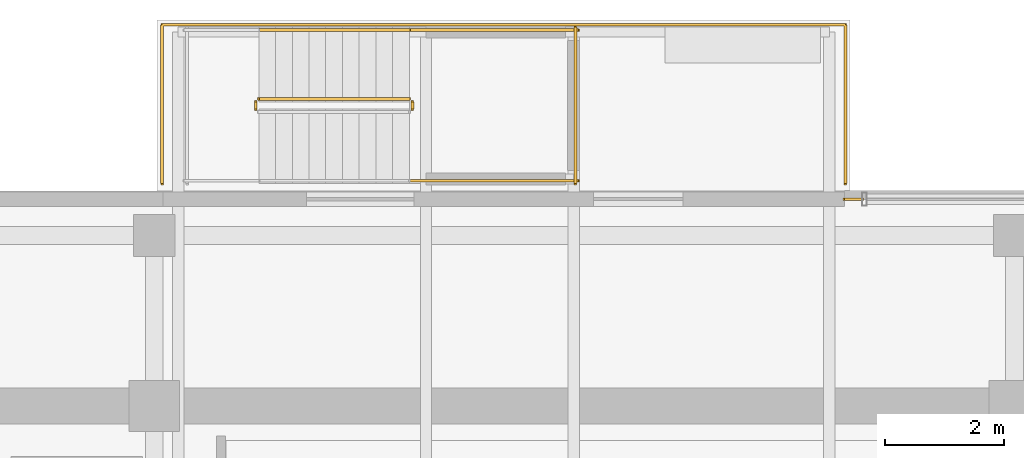
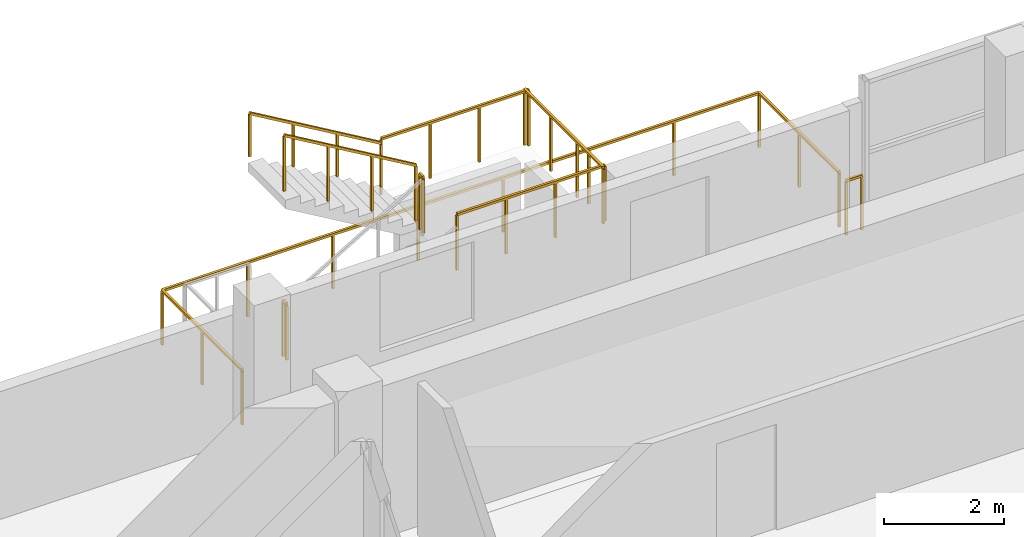
# One storey, part 22 of 23: 9 railings.
"""IFC4 building model written with IfcOpenShell, lengths in metres."""

from ifc_helpers import new_model, si_unit, direction, frame, origin, origin_2d, place, context, subcontext, project, spatial, rectangle, extrude, material, type_object, element, save


model = new_model("IFC4")

# Units and contexts
model_context = context("Model", 3, precision=1e-05, world=origin(), true_north=direction((0.0, 1.0)))
body_context = subcontext(model_context, "Body", "Model", "MODEL_VIEW")
ifc_project = project(units=[si_unit("LENGTHUNIT", "METRE"), si_unit("AREAUNIT", "SQUARE_METRE"), si_unit("VOLUMEUNIT", "CUBIC_METRE"), si_unit("PLANEANGLEUNIT", "RADIAN"), si_unit("MASSUNIT", "GRAM", prefix="KILO")], contexts=[model_context])

# Site, building, storey
site_placement = place(None, origin())
site = spatial("IfcSite", under=ifc_project, at=site_placement, CompositionType="ELEMENT")
building_placement = place(site_placement, origin())
building = spatial("IfcBuilding", under=site, at=building_placement, Name="Zarnakvel Exchange Tower", CompositionType="ELEMENT")
storey_placement = place(building_placement, frame((0.0, 0.0, 232.0)))
storey = spatial("IfcBuildingStorey", under=building, at=storey_placement, Name="L65", CompositionType="ELEMENT", Elevation=232.0)

# Railings
ifc_material_1 = material(Name="Architectural Bronze Anodised Aluminium", Category="aluminium")
railing_type_1 = type_object("IfcRailingType", Name="GR-02", PredefinedType="GUARDRAIL", material=ifc_material_1)
railing_1_placement = place(storey_placement, frame((-7.070068359375, 17.219970703125, 0.0)))
element("IfcRailing", 1, at=railing_1_placement, inside=storey, type_object=railing_type_1, Name="L65 Spiral Sky-Terrace Perimeter Guardrail", PredefinedType="GUARDRAIL", context=body_context, shape_type="SweptSolid", body=[
    extrude(rectangle(XDim=0.048095703125, YDim=0.048095703125, at=origin_2d()), frame((0.0, 0.0, 1.09619140625), z_axis=(0.0, 1.0, 0.0), x_axis=(-1.0, 0.0, 0.0)), (0.0, 0.0, 1.0), 2.659912109375),
    extrude(rectangle(XDim=0.048095703125, YDim=0.048095703125, at=origin_2d()), frame((0.0, 2.659912109375, 1.09619140625), z_axis=(1.0, 0.0, 0.0), x_axis=(0.0, 1.0, 0.0)), (0.0, 0.0, 1.0), 11.440185546875),
    extrude(rectangle(XDim=0.048095703125, YDim=0.048095703125, at=origin_2d()), frame((11.440185546875, 2.659912109375, 1.09619140625), z_axis=(0.0, -1.0, 0.0), x_axis=(1.0, 0.0, 0.0)), (0.0, 0.0, 1.0), 2.659912109375),
    extrude(rectangle(XDim=0.0419921875, YDim=0.0419921875, at=origin_2d()), origin(), (0.0, 0.0, 1.0), 1.072021484375),
    extrude(rectangle(XDim=0.0419921875, YDim=0.0419921875, at=origin_2d()), frame((0.0, 1.330078125, 0.0)), (0.0, 0.0, 1.0), 1.072021484375),
    extrude(rectangle(XDim=0.0419921875, YDim=0.0419921875, at=origin_2d()), frame((0.0, 2.659912109375, 0.0)), (0.0, 0.0, 1.0), 1.072021484375),
    extrude(rectangle(XDim=0.0419921875, YDim=0.0419921875, at=origin_2d()), frame((1.63427734375, 2.659912109375, 0.0)), (0.0, 0.0, 1.0), 1.072021484375),
    extrude(rectangle(XDim=0.0419921875, YDim=0.0419921875, at=origin_2d()), frame((3.2685546875, 2.659912109375, 0.0)), (0.0, 0.0, 1.0), 1.072021484375),
    extrude(rectangle(XDim=0.0419921875, YDim=0.0419921875, at=origin_2d()), frame((4.90283203125, 2.659912109375, 0.0)), (0.0, 0.0, 1.0), 1.072021484375),
    extrude(rectangle(XDim=0.0419921875, YDim=0.0419921875, at=origin_2d()), frame((6.537353515625, 2.659912109375, 0.0)), (0.0, 0.0, 1.0), 1.072021484375),
    extrude(rectangle(XDim=0.0419921875, YDim=0.0419921875, at=origin_2d()), frame((8.171630859375, 2.659912109375, 0.0)), (0.0, 0.0, 1.0), 1.072021484375),
    extrude(rectangle(XDim=0.0419921875, YDim=0.0419921875, at=origin_2d()), frame((9.805908203125, 2.659912109375, 0.0)), (0.0, 0.0, 1.0), 1.072021484375),
    extrude(rectangle(XDim=0.0419921875, YDim=0.0419921875, at=origin_2d()), frame((11.440185546875, 2.659912109375, 0.0)), (0.0, 0.0, 1.0), 1.072021484375),
    extrude(rectangle(XDim=0.0419921875, YDim=0.0419921875, at=origin_2d()), frame((11.440185546875, 1.330078125, 0.0)), (0.0, 0.0, 1.0), 1.072021484375),
    extrude(rectangle(XDim=0.0419921875, YDim=0.0419921875, at=origin_2d()), frame((11.440185546875, 0.0, 0.0)), (0.0, 0.0, 1.0), 1.072021484375),
])
railing_2_placement = place(storey_placement, frame((4.35009765625, 16.9599609375, 0.0)))
element("IfcRailing", 2, at=railing_2_placement, inside=storey, type_object=railing_type_1, Name="L65 Corner Spandrel Balustrade #6", PredefinedType="GUARDRAIL", context=body_context, shape_type="SweptSolid", body=[
    extrude(rectangle(XDim=0.048095703125, YDim=0.048095703125, at=origin_2d()), frame((0.0, 0.0, 1.09619140625), z_axis=(1.0, 0.0, 0.0), x_axis=(0.0, 1.0, 0.0)), (0.0, 0.0, 1.0), 0.2998046875),
    extrude(rectangle(XDim=0.0419921875, YDim=0.0419921875, at=origin_2d()), origin(), (0.0, 0.0, 1.0), 1.072021484375),
    extrude(rectangle(XDim=0.0419921875, YDim=0.0419921875, at=origin_2d()), frame((0.2998046875, 0.0, 0.0)), (0.0, 0.0, 1.0), 1.072021484375),
])
ifc_material_2 = material(Name="Brushed Stainless Steel", Category="steel")
railing_type_2 = type_object("IfcRailingType", Name="HR-01", PredefinedType="HANDRAIL", material=ifc_material_2)
railing_3_placement = place(storey_placement, frame((-2.929931640625, 19.7900390625, 1.81494140625)))
element("IfcRailing", 3, at=railing_3_placement, inside=storey, type_object=railing_type_2, Name="L65 ST-14 stair handrail 2", PredefinedType="HANDRAIL", context=body_context, shape_type="SweptSolid", body=[
    extrude(rectangle(XDim=0.048095703125, YDim=0.048095703125, at=origin_2d()), frame((0.0, 0.0, 0.8759765625), z_axis=(-0.86152411907, 0.0, 0.507716645641), x_axis=(0.0, -1.0, 0.0)), (0.0, 0.0, 1.0), 2.925048828125),
    extrude(rectangle(XDim=0.0419921875, YDim=0.0419921875, at=origin_2d()), origin(), (0.0, 0.0, 1.0), 0.851806640625),
    extrude(rectangle(XDim=0.0419921875, YDim=0.0419921875, at=origin_2d()), frame((-0.840087890625, 0.0, 0.4951171875)), (0.0, 0.0, 1.0), 0.851806640625),
    extrude(rectangle(XDim=0.0419921875, YDim=0.0419921875, at=origin_2d()), frame((-1.679931640625, 0.0, 0.989990234375)), (0.0, 0.0, 1.0), 0.851806640625),
    extrude(rectangle(XDim=0.0419921875, YDim=0.0419921875, at=origin_2d()), frame((-2.52001953125, 0.0, 1.485107421875)), (0.0, 0.0, 1.0), 0.851806640625),
])
railing_type_3 = type_object("IfcRailingType", Name="SG-01", PredefinedType="GUARDRAIL", material=ifc_material_1)
railing_4_placement = place(storey_placement, frame((-2.8798828125, 18.469970703125, 1.64990234375)))
element("IfcRailing", 4, at=railing_4_placement, inside=storey, type_object=railing_type_3, Name="L65 ST-14 stair guard 2", PredefinedType="GUARDRAIL", context=body_context, shape_type="SweptSolid", body=[
    extrude(rectangle(XDim=0.048095703125, YDim=0.048095703125, at=origin_2d()), frame((0.0, 0.0, 1.1259765625), z_axis=(0.0, 1.0, 0.0), x_axis=(-1.0, 0.0, 0.0)), (0.0, 0.0, 1.0), 0.1201171875),
    extrude(rectangle(XDim=0.0419921875, YDim=0.0419921875, at=origin_2d()), origin(), (0.0, 0.0, 1.0), 1.101806640625),
    extrude(rectangle(XDim=0.0419921875, YDim=0.0419921875, at=origin_2d()), frame((0.0, 0.1201171875, 0.0)), (0.0, 0.0, 1.0), 1.101806640625),
])
for number, where, name in (
    (5, (-2.929931640625, 17.27001953125, 1.64990234375), "L65 ST-14 stair guard 3"),
    (6, (-2.929931640625, 19.7900390625, 1.64990234375), "L65 ST-14 stair guard 4"),
):
    element("IfcRailing", number, at=place(storey_placement, frame(where)), inside=storey, type_object=railing_type_3, Name=name, PredefinedType="GUARDRAIL", context=body_context, shape_type="SweptSolid", body=[
        extrude(rectangle(XDim=0.048095703125, YDim=0.048095703125, at=origin_2d()), frame((0.0, 0.0, 1.1259765625), z_axis=(1.0, 0.0, 0.0), x_axis=(0.0, 1.0, 0.0)), (0.0, 0.0, 1.0), 2.829833984375),
        extrude(rectangle(XDim=0.0419921875, YDim=0.0419921875, at=origin_2d()), origin(), (0.0, 0.0, 1.0), 1.101806640625),
        extrude(rectangle(XDim=0.0419921875, YDim=0.0419921875, at=origin_2d()), frame((0.943359375, 0.0, 0.0)), (0.0, 0.0, 1.0), 1.101806640625),
        extrude(rectangle(XDim=0.0419921875, YDim=0.0419921875, at=origin_2d()), frame((1.886474609375, 0.0, 0.0)), (0.0, 0.0, 1.0), 1.101806640625),
        extrude(rectangle(XDim=0.0419921875, YDim=0.0419921875, at=origin_2d()), frame((2.829833984375, 0.0, 0.0)), (0.0, 0.0, 1.0), 1.101806640625),
    ])
railing_5_placement = place(storey_placement, frame((-0.14990234375, 17.219970703125, 1.64990234375)))
element("IfcRailing", 7, at=railing_5_placement, inside=storey, type_object=railing_type_3, Name="L65 ST-14 stair guard 5", PredefinedType="GUARDRAIL", context=body_context, shape_type="SweptSolid", body=[
    extrude(rectangle(XDim=0.048095703125, YDim=0.048095703125, at=origin_2d()), frame((0.0, 0.0, 1.1259765625), z_axis=(0.0, 1.0, 0.0), x_axis=(-1.0, 0.0, 0.0)), (0.0, 0.0, 1.0), 2.6201171875),
    extrude(rectangle(XDim=0.0419921875, YDim=0.0419921875, at=origin_2d()), origin(), (0.0, 0.0, 1.0), 1.101806640625),
    extrude(rectangle(XDim=0.0419921875, YDim=0.0419921875, at=origin_2d()), frame((0.0, 0.873291015625, 0.0)), (0.0, 0.0, 1.0), 1.101806640625),
    extrude(rectangle(XDim=0.0419921875, YDim=0.0419921875, at=origin_2d()), frame((0.0, 1.746826171875, 0.0)), (0.0, 0.0, 1.0), 1.101806640625),
    extrude(rectangle(XDim=0.0419921875, YDim=0.0419921875, at=origin_2d()), frame((0.0, 2.6201171875, 0.0)), (0.0, 0.0, 1.0), 1.101806640625),
])
railing_6_placement = place(storey_placement, frame((-2.929931640625, 18.639892578125, 1.81494140625)))
element("IfcRailing", 8, at=railing_6_placement, inside=storey, type_object=railing_type_3, Name="L65 ST-14 stair guard 6", PredefinedType="GUARDRAIL", context=body_context, shape_type="SweptSolid", body=[
    extrude(rectangle(XDim=0.048095703125, YDim=0.048095703125, at=origin_2d()), frame((0.0, 0.0, 1.1259765625), z_axis=(-0.86152411907, 0.0, 0.507716645641), x_axis=(0.0, -1.0, 0.0)), (0.0, 0.0, 1.0), 2.925048828125),
    extrude(rectangle(XDim=0.0419921875, YDim=0.0419921875, at=origin_2d()), origin(), (0.0, 0.0, 1.0), 1.101806640625),
    extrude(rectangle(XDim=0.0419921875, YDim=0.0419921875, at=origin_2d()), frame((-0.840087890625, 0.0, 0.4951171875)), (0.0, 0.0, 1.0), 1.101806640625),
    extrude(rectangle(XDim=0.0419921875, YDim=0.0419921875, at=origin_2d()), frame((-1.679931640625, 0.0, 0.989990234375)), (0.0, 0.0, 1.0), 1.101806640625),
    extrude(rectangle(XDim=0.0419921875, YDim=0.0419921875, at=origin_2d()), frame((-2.52001953125, 0.0, 1.485107421875)), (0.0, 0.0, 1.0), 1.101806640625),
])
railing_7_placement = place(storey_placement, frame((-5.5, 18.469970703125, 0.0)))
element("IfcRailing", 9, at=railing_7_placement, inside=storey, type_object=railing_type_3, Name="L65 ST-14 stair guard 7", PredefinedType="GUARDRAIL", context=body_context, shape_type="SweptSolid", body=[
    extrude(rectangle(XDim=0.048095703125, YDim=0.048095703125, at=origin_2d()), frame((0.0, 0.0, 1.1259765625), z_axis=(0.0, 1.0, 0.0), x_axis=(-1.0, 0.0, 0.0)), (0.0, 0.0, 1.0), 0.1201171875),
    extrude(rectangle(XDim=0.0419921875, YDim=0.0419921875, at=origin_2d()), origin(), (0.0, 0.0, 1.0), 1.101806640625),
    extrude(rectangle(XDim=0.0419921875, YDim=0.0419921875, at=origin_2d()), frame((0.0, 0.1201171875, 0.0)), (0.0, 0.0, 1.0), 1.101806640625),
])

save(model, "model.ifc")
